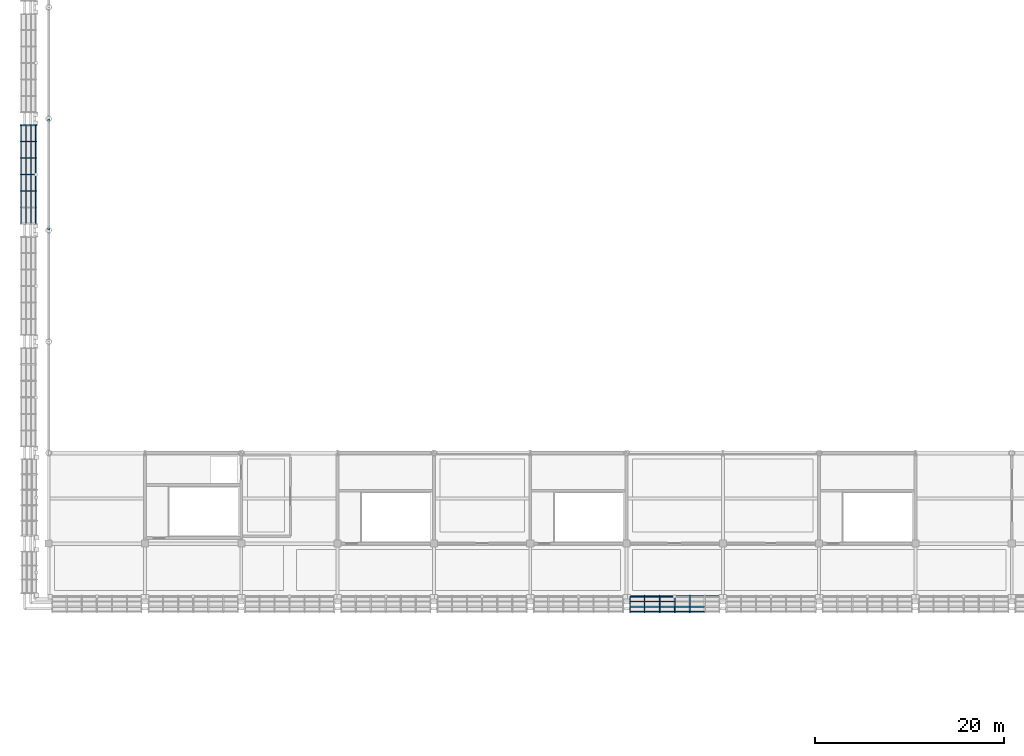
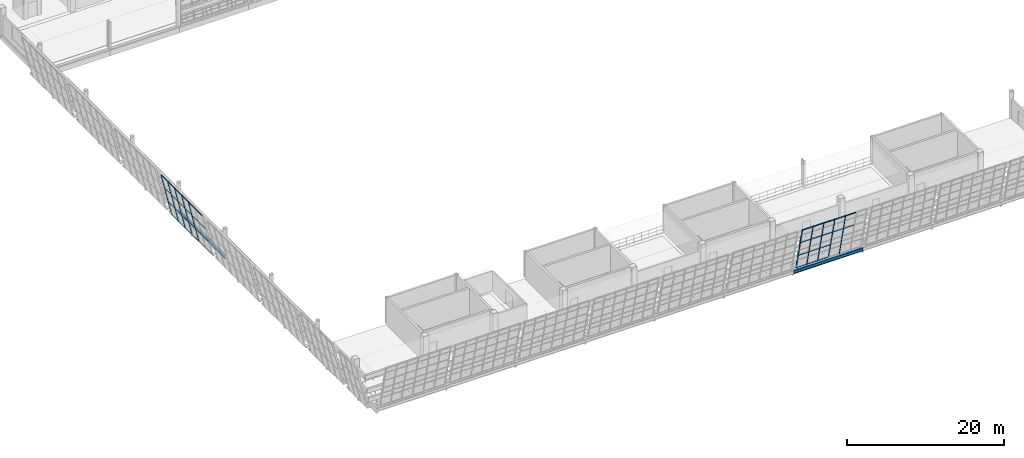
# One storey, part 27 of 157: 50 members, 2 beams, 2 elements without a shape of their own.
"""IFC4 building model written with IfcOpenShell, lengths in metres."""

from ifc_helpers import new_model, si_unit, direction, frame, origin, origin_2d, place, context, subcontext, project, spatial, hollow_rectangle, i_section, extrude, material, material_profile, profile_set, type_object, element, aggregate, save


model = new_model("IFC4")

# Units and contexts
model_context = context("Model", 3, precision=1e-05, world=origin(), true_north=direction((0.0, 1.0)))
body_context = subcontext(model_context, "Body", "Model", "MODEL_VIEW")
ifc_project = project(units=[si_unit("LENGTHUNIT", "METRE"), si_unit("AREAUNIT", "SQUARE_METRE"), si_unit("VOLUMEUNIT", "CUBIC_METRE"), si_unit("PLANEANGLEUNIT", "RADIAN"), si_unit("MASSUNIT", "GRAM", prefix="KILO")], contexts=[model_context])

# Site, building, storey
site_placement = place(None, origin())
site = spatial("IfcSite", under=ifc_project, at=site_placement, CompositionType="ELEMENT")
building_placement = place(site_placement, origin())
building = spatial("IfcBuilding", under=site, at=building_placement, Name="Brelvane Convention Centre", CompositionType="ELEMENT")
storey_placement = place(building_placement, frame((0.0, 0.0, 10.800048828125)))
storey = spatial("IfcBuildingStorey", under=building, at=storey_placement, Name="L02", CompositionType="ELEMENT", Elevation=10.800048828125)

# Curtain wall, members
ifc_material_1 = material(Name="Anodised Aluminium Alloy 6063-T6", Category="aluminium")
curtain_wall_type = type_object("IfcCurtainWallType", Name="Curtain Wall CW-HULL-S", PredefinedType="USERDEFINED", material=ifc_material_1)
curtain_wall_1_placement = place(storey_placement, origin())
curtain_wall_1 = element("IfcCurtainWall", 1, at=curtain_wall_1_placement, inside=storey, type_object=curtain_wall_type, Name="Curtain Wall CW-HULL-S L02-HULL-S-L02-07", ObjectType="UNITISED", PredefinedType="USERDEFINED")
ifc_material_2 = material(Name="Anodised Aluminium Alloy 6063-T6", Category="aluminium")
ifc_material_profile_1 = material_profile(ifc_material_2, hollow_rectangle(XDim=0.080078125, YDim=0.239990234375, WallThickness=0.006103515625, InnerFilletRadius=0.006103515625, OuterFilletRadius=0.011962890625, at=origin_2d()), Name="ALU-M 240x80x6.0")
ifc_profile_set_1 = profile_set([ifc_material_profile_1], Name="Anodised Aluminium Alloy 6063-T6")
member_type_1 = type_object("IfcMemberType", Name="Curtain Mullion CW-M1", PredefinedType="MULLION", material=ifc_profile_set_1)
member_1_placement = place(storey_placement, frame((61.56005859375, 13.60009765625, 0.0), z_axis=(0.0, -0.228360410362, 0.973576665178), x_axis=(1.0, 0.0, 0.0)))
member_1 = element("IfcMember", 2, at=member_1_placement, type_object=member_type_1, Name="CW-HULL-S mullion 1", PredefinedType="MULLION", context=body_context, shape_type="SweptSolid", body=[
    extrude(hollow_rectangle(XDim=0.080078125, YDim=0.239990234375, WallThickness=0.006103515625, InnerFilletRadius=0.006103515625, OuterFilletRadius=0.011962890625, at=origin_2d()), origin(), (0.0, 0.0, 1.0), 7.03564453125),
])
member_2_placement = place(storey_placement, frame((63.11328125, 13.60009765625, 0.0), z_axis=(0.0, -0.228360410362, 0.973576665178), x_axis=(1.0, 0.0, 0.0)))
member_2 = element("IfcMember", 3, at=member_2_placement, type_object=member_type_1, Name="CW-HULL-S mullion 2", PredefinedType="MULLION", context=body_context, shape_type="SweptSolid", body=[
    extrude(hollow_rectangle(XDim=0.080078125, YDim=0.239990234375, WallThickness=0.006103515625, InnerFilletRadius=0.006103515625, OuterFilletRadius=0.011962890625, at=origin_2d()), origin(), (0.0, 0.0, 1.0), 7.03564453125),
])
member_3_placement = place(storey_placement, frame((64.706787109375, 13.60009765625, 0.0), z_axis=(0.0, -0.228360410362, 0.973576665178), x_axis=(1.0, 0.0, 0.0)))
member_3 = element("IfcMember", 4, at=member_3_placement, type_object=member_type_1, Name="CW-HULL-S mullion 3", PredefinedType="MULLION", context=body_context, shape_type="SweptSolid", body=[
    extrude(hollow_rectangle(XDim=0.080078125, YDim=0.239990234375, WallThickness=0.006103515625, InnerFilletRadius=0.006103515625, OuterFilletRadius=0.011962890625, at=origin_2d()), origin(), (0.0, 0.0, 1.0), 7.03564453125),
])
member_4_placement = place(storey_placement, frame((66.300048828125, 13.60009765625, 0.0), z_axis=(0.0, -0.228360410362, 0.973576665178), x_axis=(1.0, 0.0, 0.0)))
member_4 = element("IfcMember", 5, at=member_4_placement, type_object=member_type_1, Name="CW-HULL-S mullion 4", PredefinedType="MULLION", context=body_context, shape_type="SweptSolid", body=[
    extrude(hollow_rectangle(XDim=0.080078125, YDim=0.239990234375, WallThickness=0.006103515625, InnerFilletRadius=0.006103515625, OuterFilletRadius=0.011962890625, at=origin_2d()), origin(), (0.0, 0.0, 1.0), 7.03564453125),
])
member_5_placement = place(storey_placement, frame((67.893310546875, 13.60009765625, 0.0), z_axis=(0.0, -0.228360410362, 0.973576665178), x_axis=(1.0, 0.0, 0.0)))
member_5 = element("IfcMember", 6, at=member_5_placement, type_object=member_type_1, Name="CW-HULL-S mullion 5", PredefinedType="MULLION", context=body_context, shape_type="SweptSolid", body=[
    extrude(hollow_rectangle(XDim=0.080078125, YDim=0.239990234375, WallThickness=0.006103515625, InnerFilletRadius=0.006103515625, OuterFilletRadius=0.011962890625, at=origin_2d()), origin(), (0.0, 0.0, 1.0), 7.03564453125),
])

curtain_wall_2_placement = place(storey_placement, origin())
curtain_wall_2 = element("IfcCurtainWall", 7, at=curtain_wall_2_placement, inside=storey, type_object=curtain_wall_type, Name="Curtain Wall CW-HULL-S L02-HULL-W-L02-3", ObjectType="UNITISED", PredefinedType="USERDEFINED")
ifc_material_3 = material(Name="Anodised Aluminium Alloy 6063-T6", Category="aluminium")
ifc_material_profile_2 = material_profile(ifc_material_3, hollow_rectangle(XDim=0.074951171875, YDim=0.199951171875, WallThickness=0.0048828125, InnerFilletRadius=0.0048828125, OuterFilletRadius=0.010009765625, at=origin_2d()), Name="ALU-M 200x75x5.0")
ifc_profile_set_2 = profile_set([ifc_material_profile_2], Name="Anodised Aluminium Alloy 6063-T6")
member_type_2 = type_object("IfcMemberType", Name="Curtain Mullion CW-M2", PredefinedType="MULLION", material=ifc_profile_set_2)
member_6_placement = place(storey_placement, frame((-1.360107421875, 56.550048828125, 0.0), z_axis=(-0.228324840492, 0.0, 0.973585007698), x_axis=(0.0, -1.0, 0.0)))
member_6 = element("IfcMember", 8, at=member_6_placement, type_object=member_type_2, Name="CW-HULL-S mullion 3", PredefinedType="MULLION", context=body_context, shape_type="SweptSolid", body=[
    extrude(hollow_rectangle(XDim=0.074951171875, YDim=0.199951171875, WallThickness=0.0048828125, InnerFilletRadius=0.0048828125, OuterFilletRadius=0.010009765625, at=origin_2d()), origin(), (0.0, 0.0, 1.0), 6.93310546875),
])
member_7_placement = place(storey_placement, frame((-1.360107421875, 58.300048828125, 0.0), z_axis=(-0.228324840492, 0.0, 0.973585007698), x_axis=(0.0, -1.0, 0.0)))
member_7 = element("IfcMember", 9, at=member_7_placement, type_object=member_type_2, Name="CW-HULL-S mullion 4", PredefinedType="MULLION", context=body_context, shape_type="SweptSolid", body=[
    extrude(hollow_rectangle(XDim=0.074951171875, YDim=0.199951171875, WallThickness=0.0048828125, InnerFilletRadius=0.0048828125, OuterFilletRadius=0.010009765625, at=origin_2d()), origin(), (0.0, 0.0, 1.0), 6.93310546875),
])
member_8_placement = place(storey_placement, frame((-1.360107421875, 60.050048828125, 0.0), z_axis=(-0.228324840492, 0.0, 0.973585007698), x_axis=(0.0, -1.0, 0.0)))
member_8 = element("IfcMember", 10, at=member_8_placement, type_object=member_type_2, Name="CW-HULL-S mullion 5", PredefinedType="MULLION", context=body_context, shape_type="SweptSolid", body=[
    extrude(hollow_rectangle(XDim=0.074951171875, YDim=0.199951171875, WallThickness=0.0048828125, InnerFilletRadius=0.0048828125, OuterFilletRadius=0.010009765625, at=origin_2d()), origin(), (0.0, 0.0, 1.0), 6.93310546875),
])
member_9_placement = place(storey_placement, frame((-1.360107421875, 61.800048828125, 0.0), z_axis=(-0.228324840492, 0.0, 0.973585007698), x_axis=(0.0, -1.0, 0.0)))
member_9 = element("IfcMember", 11, at=member_9_placement, type_object=member_type_2, Name="CW-HULL-S mullion 6", PredefinedType="MULLION", context=body_context, shape_type="SweptSolid", body=[
    extrude(hollow_rectangle(XDim=0.074951171875, YDim=0.199951171875, WallThickness=0.0048828125, InnerFilletRadius=0.0048828125, OuterFilletRadius=0.010009765625, at=origin_2d()), origin(), (0.0, 0.0, 1.0), 6.93310546875),
])
member_10_placement = place(storey_placement, frame((-1.360107421875, 63.512451171875, 0.0), z_axis=(-0.228324840492, 0.0, 0.973585007698), x_axis=(0.0, -1.0, 0.0)))
member_10 = element("IfcMember", 12, at=member_10_placement, type_object=member_type_2, Name="CW-HULL-S mullion 7", PredefinedType="MULLION", context=body_context, shape_type="SweptSolid", body=[
    extrude(hollow_rectangle(XDim=0.074951171875, YDim=0.199951171875, WallThickness=0.0048828125, InnerFilletRadius=0.0048828125, OuterFilletRadius=0.010009765625, at=origin_2d()), origin(), (0.0, 0.0, 1.0), 6.93310546875),
])

# Member
ifc_material_4 = material(Name="Anodised Aluminium Alloy 6063-T6", Category="aluminium")
ifc_material_profile_3 = material_profile(ifc_material_4, hollow_rectangle(XDim=0.080078125, YDim=0.179931640625, WallThickness=0.0048828125, InnerFilletRadius=0.0048828125, OuterFilletRadius=0.010009765625, at=origin_2d()), Name="ALU-T 180x80x5.0")
ifc_profile_set_3 = profile_set([ifc_material_profile_3], Name="Anodised Aluminium Alloy 6063-T6")
member_type_3 = type_object("IfcMemberType", Name="Curtain Transom CW-T1", PredefinedType="USERDEFINED", material=ifc_profile_set_3)
member_11_placement = place(storey_placement, frame((61.60009765625, 13.590576171875, 0.0400390625), z_axis=(1.0, 0.0, 0.0), x_axis=(0.0, 1.0, 0.0)))
member_11 = element("IfcMember", 13, at=member_11_placement, type_object=member_type_3, Name="CW-HULL-S transom 1.1", ObjectType="TRANSOM", PredefinedType="USERDEFINED", context=body_context, shape_type="SweptSolid", body=[
    extrude(hollow_rectangle(XDim=0.080078125, YDim=0.179931640625, WallThickness=0.0048828125, InnerFilletRadius=0.0048828125, OuterFilletRadius=0.010009765625, at=origin_2d()), origin(), (0.0, 0.0, 1.0), 1.47314453125),
])

member_12_placement = place(storey_placement, frame((61.60009765625, 13.064453125, 2.283203125), z_axis=(1.0, 0.0, 0.0), x_axis=(0.0, 1.0, 0.0)))
member_12 = element("IfcMember", 14, at=member_12_placement, type_object=member_type_3, Name="CW-HULL-S transom 1.2", ObjectType="TRANSOM", PredefinedType="USERDEFINED", context=body_context, shape_type="SweptSolid", body=[
    extrude(hollow_rectangle(XDim=0.080078125, YDim=0.179931640625, WallThickness=0.0048828125, InnerFilletRadius=0.0048828125, OuterFilletRadius=0.010009765625, at=origin_2d()), origin(), (0.0, 0.0, 1.0), 1.47314453125),
])

member_13_placement = place(storey_placement, frame((61.60009765625, 12.52880859375, 4.566650390625), z_axis=(1.0, 0.0, 0.0), x_axis=(0.0, 1.0, 0.0)))
member_13 = element("IfcMember", 15, at=member_13_placement, type_object=member_type_3, Name="CW-HULL-S transom 1.3", ObjectType="TRANSOM", PredefinedType="USERDEFINED", context=body_context, shape_type="SweptSolid", body=[
    extrude(hollow_rectangle(XDim=0.080078125, YDim=0.179931640625, WallThickness=0.0048828125, InnerFilletRadius=0.0048828125, OuterFilletRadius=0.010009765625, at=origin_2d()), origin(), (0.0, 0.0, 1.0), 1.47314453125),
])

member_14_placement = place(storey_placement, frame((61.60009765625, 12.002685546875, 6.81005859375), z_axis=(1.0, 0.0, 0.0), x_axis=(0.0, 1.0, 0.0)))
member_14 = element("IfcMember", 16, at=member_14_placement, type_object=member_type_3, Name="CW-HULL-S transom 1.4", ObjectType="TRANSOM", PredefinedType="USERDEFINED", context=body_context, shape_type="SweptSolid", body=[
    extrude(hollow_rectangle(XDim=0.080078125, YDim=0.179931640625, WallThickness=0.0048828125, InnerFilletRadius=0.0048828125, OuterFilletRadius=0.010009765625, at=origin_2d()), origin(), (0.0, 0.0, 1.0), 1.47314453125),
])

member_15_placement = place(storey_placement, frame((63.1533203125, 13.590576171875, 0.0400390625), z_axis=(1.0, 0.0, 0.0), x_axis=(0.0, 1.0, 0.0)))
member_15 = element("IfcMember", 17, at=member_15_placement, type_object=member_type_3, Name="CW-HULL-S transom 2.1", ObjectType="TRANSOM", PredefinedType="USERDEFINED", context=body_context, shape_type="SweptSolid", body=[
    extrude(hollow_rectangle(XDim=0.080078125, YDim=0.179931640625, WallThickness=0.0048828125, InnerFilletRadius=0.0048828125, OuterFilletRadius=0.010009765625, at=origin_2d()), origin(), (0.0, 0.0, 1.0), 1.513427734375),
])

member_16_placement = place(storey_placement, frame((63.1533203125, 13.064453125, 2.283203125), z_axis=(1.0, 0.0, 0.0), x_axis=(0.0, 1.0, 0.0)))
member_16 = element("IfcMember", 18, at=member_16_placement, type_object=member_type_3, Name="CW-HULL-S transom 2.2", ObjectType="TRANSOM", PredefinedType="USERDEFINED", context=body_context, shape_type="SweptSolid", body=[
    extrude(hollow_rectangle(XDim=0.080078125, YDim=0.179931640625, WallThickness=0.0048828125, InnerFilletRadius=0.0048828125, OuterFilletRadius=0.010009765625, at=origin_2d()), origin(), (0.0, 0.0, 1.0), 1.513427734375),
])

member_17_placement = place(storey_placement, frame((63.1533203125, 12.52880859375, 4.566650390625), z_axis=(1.0, 0.0, 0.0), x_axis=(0.0, 1.0, 0.0)))
member_17 = element("IfcMember", 19, at=member_17_placement, type_object=member_type_3, Name="CW-HULL-S transom 2.3", ObjectType="TRANSOM", PredefinedType="USERDEFINED", context=body_context, shape_type="SweptSolid", body=[
    extrude(hollow_rectangle(XDim=0.080078125, YDim=0.179931640625, WallThickness=0.0048828125, InnerFilletRadius=0.0048828125, OuterFilletRadius=0.010009765625, at=origin_2d()), origin(), (0.0, 0.0, 1.0), 1.513427734375),
])

member_18_placement = place(storey_placement, frame((63.1533203125, 12.002685546875, 6.81005859375), z_axis=(1.0, 0.0, 0.0), x_axis=(0.0, 1.0, 0.0)))
member_18 = element("IfcMember", 20, at=member_18_placement, type_object=member_type_3, Name="CW-HULL-S transom 2.4", ObjectType="TRANSOM", PredefinedType="USERDEFINED", context=body_context, shape_type="SweptSolid", body=[
    extrude(hollow_rectangle(XDim=0.080078125, YDim=0.179931640625, WallThickness=0.0048828125, InnerFilletRadius=0.0048828125, OuterFilletRadius=0.010009765625, at=origin_2d()), origin(), (0.0, 0.0, 1.0), 1.513427734375),
])

member_19_placement = place(storey_placement, frame((64.74658203125, 13.590576171875, 0.0400390625), z_axis=(1.0, 0.0, 0.0), x_axis=(0.0, 1.0, 0.0)))
member_19 = element("IfcMember", 21, at=member_19_placement, type_object=member_type_3, Name="CW-HULL-S transom 3.1", ObjectType="TRANSOM", PredefinedType="USERDEFINED", context=body_context, shape_type="SweptSolid", body=[
    extrude(hollow_rectangle(XDim=0.080078125, YDim=0.179931640625, WallThickness=0.0048828125, InnerFilletRadius=0.0048828125, OuterFilletRadius=0.010009765625, at=origin_2d()), origin(), (0.0, 0.0, 1.0), 1.513427734375),
])

member_20_placement = place(storey_placement, frame((64.74658203125, 13.064453125, 2.283203125), z_axis=(1.0, 0.0, 0.0), x_axis=(0.0, 1.0, 0.0)))
member_20 = element("IfcMember", 22, at=member_20_placement, type_object=member_type_3, Name="CW-HULL-S transom 3.2", ObjectType="TRANSOM", PredefinedType="USERDEFINED", context=body_context, shape_type="SweptSolid", body=[
    extrude(hollow_rectangle(XDim=0.080078125, YDim=0.179931640625, WallThickness=0.0048828125, InnerFilletRadius=0.0048828125, OuterFilletRadius=0.010009765625, at=origin_2d()), origin(), (0.0, 0.0, 1.0), 1.513427734375),
])

member_21_placement = place(storey_placement, frame((64.74658203125, 12.52880859375, 4.566650390625), z_axis=(1.0, 0.0, 0.0), x_axis=(0.0, 1.0, 0.0)))
member_21 = element("IfcMember", 23, at=member_21_placement, type_object=member_type_3, Name="CW-HULL-S transom 3.3", ObjectType="TRANSOM", PredefinedType="USERDEFINED", context=body_context, shape_type="SweptSolid", body=[
    extrude(hollow_rectangle(XDim=0.080078125, YDim=0.179931640625, WallThickness=0.0048828125, InnerFilletRadius=0.0048828125, OuterFilletRadius=0.010009765625, at=origin_2d()), origin(), (0.0, 0.0, 1.0), 1.513427734375),
])

member_22_placement = place(storey_placement, frame((64.74658203125, 12.002685546875, 6.81005859375), z_axis=(1.0, 0.0, 0.0), x_axis=(0.0, 1.0, 0.0)))
member_22 = element("IfcMember", 24, at=member_22_placement, type_object=member_type_3, Name="CW-HULL-S transom 3.4", ObjectType="TRANSOM", PredefinedType="USERDEFINED", context=body_context, shape_type="SweptSolid", body=[
    extrude(hollow_rectangle(XDim=0.080078125, YDim=0.179931640625, WallThickness=0.0048828125, InnerFilletRadius=0.0048828125, OuterFilletRadius=0.010009765625, at=origin_2d()), origin(), (0.0, 0.0, 1.0), 1.513427734375),
])

member_23_placement = place(storey_placement, frame((66.340087890625, 12.52880859375, 4.566650390625), z_axis=(1.0, 0.0, 0.0), x_axis=(0.0, 1.0, 0.0)))
member_23 = element("IfcMember", 25, at=member_23_placement, type_object=member_type_3, Name="CW-HULL-S transom 4.3", ObjectType="TRANSOM", PredefinedType="USERDEFINED", context=body_context, shape_type="SweptSolid", body=[
    extrude(hollow_rectangle(XDim=0.080078125, YDim=0.179931640625, WallThickness=0.0048828125, InnerFilletRadius=0.0048828125, OuterFilletRadius=0.010009765625, at=origin_2d()), origin(), (0.0, 0.0, 1.0), 1.51318359375),
])

member_24_placement = place(storey_placement, frame((66.340087890625, 12.002685546875, 6.81005859375), z_axis=(1.0, 0.0, 0.0), x_axis=(0.0, 1.0, 0.0)))
member_24 = element("IfcMember", 26, at=member_24_placement, type_object=member_type_3, Name="CW-HULL-S transom 4.4", ObjectType="TRANSOM", PredefinedType="USERDEFINED", context=body_context, shape_type="SweptSolid", body=[
    extrude(hollow_rectangle(XDim=0.080078125, YDim=0.179931640625, WallThickness=0.0048828125, InnerFilletRadius=0.0048828125, OuterFilletRadius=0.010009765625, at=origin_2d()), origin(), (0.0, 0.0, 1.0), 1.51318359375),
])

member_25_placement = place(storey_placement, frame((67.933349609375, 12.52880859375, 4.566650390625), z_axis=(1.0, 0.0, 0.0), x_axis=(0.0, 1.0, 0.0)))
member_25 = element("IfcMember", 27, at=member_25_placement, type_object=member_type_3, Name="CW-HULL-S transom 5.3", ObjectType="TRANSOM", PredefinedType="USERDEFINED", context=body_context, shape_type="SweptSolid", body=[
    extrude(hollow_rectangle(XDim=0.080078125, YDim=0.179931640625, WallThickness=0.0048828125, InnerFilletRadius=0.0048828125, OuterFilletRadius=0.010009765625, at=origin_2d()), origin(), (0.0, 0.0, 1.0), 1.513427734375),
])

member_26_placement = place(storey_placement, frame((67.933349609375, 12.002685546875, 6.81005859375), z_axis=(1.0, 0.0, 0.0), x_axis=(0.0, 1.0, 0.0)))
member_26 = element("IfcMember", 28, at=member_26_placement, type_object=member_type_3, Name="CW-HULL-S transom 5.4", ObjectType="TRANSOM", PredefinedType="USERDEFINED", context=body_context, shape_type="SweptSolid", body=[
    extrude(hollow_rectangle(XDim=0.080078125, YDim=0.179931640625, WallThickness=0.0048828125, InnerFilletRadius=0.0048828125, OuterFilletRadius=0.010009765625, at=origin_2d()), origin(), (0.0, 0.0, 1.0), 1.513427734375),
])

aggregate(curtain_wall_1, [member_1, member_2, member_3, member_4, member_5, member_11, member_12, member_13, member_14, member_15, member_16, member_17, member_18, member_19, member_20, member_21, member_22, member_23, member_24, member_25, member_26])

ifc_material_5 = material(Name="Anodised Aluminium Alloy 6063-T6", Category="aluminium")
ifc_material_profile_4 = material_profile(ifc_material_5, hollow_rectangle(XDim=0.070068359375, YDim=0.14990234375, WallThickness=0.00439453125, InnerFilletRadius=0.00439453125, OuterFilletRadius=0.009033203125, at=origin_2d()), Name="ALU-T 150x70x4.5")
ifc_profile_set_4 = profile_set([ifc_material_profile_4], Name="Anodised Aluminium Alloy 6063-T6")
member_type_4 = type_object("IfcMemberType", Name="Curtain Transom CW-T2", PredefinedType="USERDEFINED", material=ifc_profile_set_4)
member_27_placement = place(storey_placement, frame((-1.3681640625, 53.125, 0.034912109375), z_axis=(0.0, 1.0, 0.0), x_axis=(-1.0, 0.0, 0.0)))
member_27 = element("IfcMember", 29, at=member_27_placement, type_object=member_type_4, Name="CW-HULL-S transom 1.1", ObjectType="TRANSOM", PredefinedType="USERDEFINED", context=body_context, shape_type="SweptSolid", body=[
    extrude(hollow_rectangle(XDim=0.070068359375, YDim=0.14990234375, WallThickness=0.00439453125, InnerFilletRadius=0.00439453125, OuterFilletRadius=0.009033203125, at=origin_2d()), origin(), (0.0, 0.0, 1.0), 1.637451171875),
])

member_28_placement = place(storey_placement, frame((-1.8876953125, 53.125, 2.25), z_axis=(0.0, 1.0, 0.0), x_axis=(-1.0, 0.0, 0.0)))
member_28 = element("IfcMember", 30, at=member_28_placement, type_object=member_type_4, Name="CW-HULL-S transom 1.2", ObjectType="TRANSOM", PredefinedType="USERDEFINED", context=body_context, shape_type="SweptSolid", body=[
    extrude(hollow_rectangle(XDim=0.070068359375, YDim=0.14990234375, WallThickness=0.00439453125, InnerFilletRadius=0.00439453125, OuterFilletRadius=0.009033203125, at=origin_2d()), origin(), (0.0, 0.0, 1.0), 1.637451171875),
])

member_29_placement = place(storey_placement, frame((-2.41552734375, 53.125, 4.5), z_axis=(0.0, 1.0, 0.0), x_axis=(-1.0, 0.0, 0.0)))
member_29 = element("IfcMember", 31, at=member_29_placement, type_object=member_type_4, Name="CW-HULL-S transom 1.3", ObjectType="TRANSOM", PredefinedType="USERDEFINED", context=body_context, shape_type="SweptSolid", body=[
    extrude(hollow_rectangle(XDim=0.070068359375, YDim=0.14990234375, WallThickness=0.00439453125, InnerFilletRadius=0.00439453125, OuterFilletRadius=0.009033203125, at=origin_2d()), origin(), (0.0, 0.0, 1.0), 1.637451171875),
])

member_30_placement = place(storey_placement, frame((-2.93505859375, 53.125, 6.71484375), z_axis=(0.0, 1.0, 0.0), x_axis=(-1.0, 0.0, 0.0)))
member_30 = element("IfcMember", 32, at=member_30_placement, type_object=member_type_4, Name="CW-HULL-S transom 1.4", ObjectType="TRANSOM", PredefinedType="USERDEFINED", context=body_context, shape_type="SweptSolid", body=[
    extrude(hollow_rectangle(XDim=0.070068359375, YDim=0.14990234375, WallThickness=0.00439453125, InnerFilletRadius=0.00439453125, OuterFilletRadius=0.009033203125, at=origin_2d()), origin(), (0.0, 0.0, 1.0), 1.637451171875),
])

member_31_placement = place(storey_placement, frame((-1.3681640625, 54.83740234375, 0.034912109375), z_axis=(0.0, 1.0, 0.0), x_axis=(-1.0, 0.0, 0.0)))
member_31 = element("IfcMember", 33, at=member_31_placement, type_object=member_type_4, Name="CW-HULL-S transom 2.1", ObjectType="TRANSOM", PredefinedType="USERDEFINED", context=body_context, shape_type="SweptSolid", body=[
    extrude(hollow_rectangle(XDim=0.070068359375, YDim=0.14990234375, WallThickness=0.00439453125, InnerFilletRadius=0.00439453125, OuterFilletRadius=0.009033203125, at=origin_2d()), origin(), (0.0, 0.0, 1.0), 1.675048828125),
])

member_32_placement = place(storey_placement, frame((-1.8876953125, 54.83740234375, 2.25), z_axis=(0.0, 1.0, 0.0), x_axis=(-1.0, 0.0, 0.0)))
member_32 = element("IfcMember", 34, at=member_32_placement, type_object=member_type_4, Name="CW-HULL-S transom 2.2", ObjectType="TRANSOM", PredefinedType="USERDEFINED", context=body_context, shape_type="SweptSolid", body=[
    extrude(hollow_rectangle(XDim=0.070068359375, YDim=0.14990234375, WallThickness=0.00439453125, InnerFilletRadius=0.00439453125, OuterFilletRadius=0.009033203125, at=origin_2d()), origin(), (0.0, 0.0, 1.0), 1.675048828125),
])

member_33_placement = place(storey_placement, frame((-2.41552734375, 54.83740234375, 4.5), z_axis=(0.0, 1.0, 0.0), x_axis=(-1.0, 0.0, 0.0)))
member_33 = element("IfcMember", 35, at=member_33_placement, type_object=member_type_4, Name="CW-HULL-S transom 2.3", ObjectType="TRANSOM", PredefinedType="USERDEFINED", context=body_context, shape_type="SweptSolid", body=[
    extrude(hollow_rectangle(XDim=0.070068359375, YDim=0.14990234375, WallThickness=0.00439453125, InnerFilletRadius=0.00439453125, OuterFilletRadius=0.009033203125, at=origin_2d()), origin(), (0.0, 0.0, 1.0), 1.675048828125),
])

member_34_placement = place(storey_placement, frame((-2.93505859375, 54.83740234375, 6.71484375), z_axis=(0.0, 1.0, 0.0), x_axis=(-1.0, 0.0, 0.0)))
member_34 = element("IfcMember", 36, at=member_34_placement, type_object=member_type_4, Name="CW-HULL-S transom 2.4", ObjectType="TRANSOM", PredefinedType="USERDEFINED", context=body_context, shape_type="SweptSolid", body=[
    extrude(hollow_rectangle(XDim=0.070068359375, YDim=0.14990234375, WallThickness=0.00439453125, InnerFilletRadius=0.00439453125, OuterFilletRadius=0.009033203125, at=origin_2d()), origin(), (0.0, 0.0, 1.0), 1.675048828125),
])

member_35_placement = place(storey_placement, frame((-1.3681640625, 56.58740234375, 0.034912109375), z_axis=(0.0, 1.0, 0.0), x_axis=(-1.0, 0.0, 0.0)))
member_35 = element("IfcMember", 37, at=member_35_placement, type_object=member_type_4, Name="CW-HULL-S transom 3.1", ObjectType="TRANSOM", PredefinedType="USERDEFINED", context=body_context, shape_type="SweptSolid", body=[
    extrude(hollow_rectangle(XDim=0.070068359375, YDim=0.14990234375, WallThickness=0.00439453125, InnerFilletRadius=0.00439453125, OuterFilletRadius=0.009033203125, at=origin_2d()), origin(), (0.0, 0.0, 1.0), 1.675048828125),
])

member_36_placement = place(storey_placement, frame((-1.8876953125, 56.58740234375, 2.25), z_axis=(0.0, 1.0, 0.0), x_axis=(-1.0, 0.0, 0.0)))
member_36 = element("IfcMember", 38, at=member_36_placement, type_object=member_type_4, Name="CW-HULL-S transom 3.2", ObjectType="TRANSOM", PredefinedType="USERDEFINED", context=body_context, shape_type="SweptSolid", body=[
    extrude(hollow_rectangle(XDim=0.070068359375, YDim=0.14990234375, WallThickness=0.00439453125, InnerFilletRadius=0.00439453125, OuterFilletRadius=0.009033203125, at=origin_2d()), origin(), (0.0, 0.0, 1.0), 1.675048828125),
])

member_37_placement = place(storey_placement, frame((-2.41552734375, 56.58740234375, 4.5), z_axis=(0.0, 1.0, 0.0), x_axis=(-1.0, 0.0, 0.0)))
member_37 = element("IfcMember", 39, at=member_37_placement, type_object=member_type_4, Name="CW-HULL-S transom 3.3", ObjectType="TRANSOM", PredefinedType="USERDEFINED", context=body_context, shape_type="SweptSolid", body=[
    extrude(hollow_rectangle(XDim=0.070068359375, YDim=0.14990234375, WallThickness=0.00439453125, InnerFilletRadius=0.00439453125, OuterFilletRadius=0.009033203125, at=origin_2d()), origin(), (0.0, 0.0, 1.0), 1.675048828125),
])

member_38_placement = place(storey_placement, frame((-2.93505859375, 56.58740234375, 6.71484375), z_axis=(0.0, 1.0, 0.0), x_axis=(-1.0, 0.0, 0.0)))
member_38 = element("IfcMember", 40, at=member_38_placement, type_object=member_type_4, Name="CW-HULL-S transom 3.4", ObjectType="TRANSOM", PredefinedType="USERDEFINED", context=body_context, shape_type="SweptSolid", body=[
    extrude(hollow_rectangle(XDim=0.070068359375, YDim=0.14990234375, WallThickness=0.00439453125, InnerFilletRadius=0.00439453125, OuterFilletRadius=0.009033203125, at=origin_2d()), origin(), (0.0, 0.0, 1.0), 1.675048828125),
])

member_39_placement = place(storey_placement, frame((-1.3681640625, 58.33740234375, 0.034912109375), z_axis=(0.0, 1.0, 0.0), x_axis=(-1.0, 0.0, 0.0)))
member_39 = element("IfcMember", 41, at=member_39_placement, type_object=member_type_4, Name="CW-HULL-S transom 4.1", ObjectType="TRANSOM", PredefinedType="USERDEFINED", context=body_context, shape_type="SweptSolid", body=[
    extrude(hollow_rectangle(XDim=0.070068359375, YDim=0.14990234375, WallThickness=0.00439453125, InnerFilletRadius=0.00439453125, OuterFilletRadius=0.009033203125, at=origin_2d()), origin(), (0.0, 0.0, 1.0), 1.675048828125),
])

member_40_placement = place(storey_placement, frame((-1.8876953125, 58.33740234375, 2.25), z_axis=(0.0, 1.0, 0.0), x_axis=(-1.0, 0.0, 0.0)))
member_40 = element("IfcMember", 42, at=member_40_placement, type_object=member_type_4, Name="CW-HULL-S transom 4.2", ObjectType="TRANSOM", PredefinedType="USERDEFINED", context=body_context, shape_type="SweptSolid", body=[
    extrude(hollow_rectangle(XDim=0.070068359375, YDim=0.14990234375, WallThickness=0.00439453125, InnerFilletRadius=0.00439453125, OuterFilletRadius=0.009033203125, at=origin_2d()), origin(), (0.0, 0.0, 1.0), 1.675048828125),
])

member_41_placement = place(storey_placement, frame((-2.41552734375, 58.33740234375, 4.5), z_axis=(0.0, 1.0, 0.0), x_axis=(-1.0, 0.0, 0.0)))
member_41 = element("IfcMember", 43, at=member_41_placement, type_object=member_type_4, Name="CW-HULL-S transom 4.3", ObjectType="TRANSOM", PredefinedType="USERDEFINED", context=body_context, shape_type="SweptSolid", body=[
    extrude(hollow_rectangle(XDim=0.070068359375, YDim=0.14990234375, WallThickness=0.00439453125, InnerFilletRadius=0.00439453125, OuterFilletRadius=0.009033203125, at=origin_2d()), origin(), (0.0, 0.0, 1.0), 1.675048828125),
])

member_42_placement = place(storey_placement, frame((-2.93505859375, 58.33740234375, 6.71484375), z_axis=(0.0, 1.0, 0.0), x_axis=(-1.0, 0.0, 0.0)))
member_42 = element("IfcMember", 44, at=member_42_placement, type_object=member_type_4, Name="CW-HULL-S transom 4.4", ObjectType="TRANSOM", PredefinedType="USERDEFINED", context=body_context, shape_type="SweptSolid", body=[
    extrude(hollow_rectangle(XDim=0.070068359375, YDim=0.14990234375, WallThickness=0.00439453125, InnerFilletRadius=0.00439453125, OuterFilletRadius=0.009033203125, at=origin_2d()), origin(), (0.0, 0.0, 1.0), 1.675048828125),
])

member_43_placement = place(storey_placement, frame((-1.3681640625, 60.08740234375, 0.034912109375), z_axis=(0.0, 1.0, 0.0), x_axis=(-1.0, 0.0, 0.0)))
member_43 = element("IfcMember", 45, at=member_43_placement, type_object=member_type_4, Name="CW-HULL-S transom 5.1", ObjectType="TRANSOM", PredefinedType="USERDEFINED", context=body_context, shape_type="SweptSolid", body=[
    extrude(hollow_rectangle(XDim=0.070068359375, YDim=0.14990234375, WallThickness=0.00439453125, InnerFilletRadius=0.00439453125, OuterFilletRadius=0.009033203125, at=origin_2d()), origin(), (0.0, 0.0, 1.0), 1.675048828125),
])

member_44_placement = place(storey_placement, frame((-1.8876953125, 60.08740234375, 2.25), z_axis=(0.0, 1.0, 0.0), x_axis=(-1.0, 0.0, 0.0)))
member_44 = element("IfcMember", 46, at=member_44_placement, type_object=member_type_4, Name="CW-HULL-S transom 5.2", ObjectType="TRANSOM", PredefinedType="USERDEFINED", context=body_context, shape_type="SweptSolid", body=[
    extrude(hollow_rectangle(XDim=0.070068359375, YDim=0.14990234375, WallThickness=0.00439453125, InnerFilletRadius=0.00439453125, OuterFilletRadius=0.009033203125, at=origin_2d()), origin(), (0.0, 0.0, 1.0), 1.675048828125),
])

member_45_placement = place(storey_placement, frame((-2.41552734375, 60.08740234375, 4.5), z_axis=(0.0, 1.0, 0.0), x_axis=(-1.0, 0.0, 0.0)))
member_45 = element("IfcMember", 47, at=member_45_placement, type_object=member_type_4, Name="CW-HULL-S transom 5.3", ObjectType="TRANSOM", PredefinedType="USERDEFINED", context=body_context, shape_type="SweptSolid", body=[
    extrude(hollow_rectangle(XDim=0.070068359375, YDim=0.14990234375, WallThickness=0.00439453125, InnerFilletRadius=0.00439453125, OuterFilletRadius=0.009033203125, at=origin_2d()), origin(), (0.0, 0.0, 1.0), 1.675048828125),
])

member_46_placement = place(storey_placement, frame((-2.93505859375, 60.08740234375, 6.71484375), z_axis=(0.0, 1.0, 0.0), x_axis=(-1.0, 0.0, 0.0)))
member_46 = element("IfcMember", 48, at=member_46_placement, type_object=member_type_4, Name="CW-HULL-S transom 5.4", ObjectType="TRANSOM", PredefinedType="USERDEFINED", context=body_context, shape_type="SweptSolid", body=[
    extrude(hollow_rectangle(XDim=0.070068359375, YDim=0.14990234375, WallThickness=0.00439453125, InnerFilletRadius=0.00439453125, OuterFilletRadius=0.009033203125, at=origin_2d()), origin(), (0.0, 0.0, 1.0), 1.675048828125),
])

member_47_placement = place(storey_placement, frame((-1.3681640625, 61.83740234375, 0.034912109375), z_axis=(0.0, 1.0, 0.0), x_axis=(-1.0, 0.0, 0.0)))
member_47 = element("IfcMember", 49, at=member_47_placement, type_object=member_type_4, Name="CW-HULL-S transom 6.1", ObjectType="TRANSOM", PredefinedType="USERDEFINED", context=body_context, shape_type="SweptSolid", body=[
    extrude(hollow_rectangle(XDim=0.070068359375, YDim=0.14990234375, WallThickness=0.00439453125, InnerFilletRadius=0.00439453125, OuterFilletRadius=0.009033203125, at=origin_2d()), origin(), (0.0, 0.0, 1.0), 1.6376953125),
])

member_48_placement = place(storey_placement, frame((-1.8876953125, 61.83740234375, 2.25), z_axis=(0.0, 1.0, 0.0), x_axis=(-1.0, 0.0, 0.0)))
member_48 = element("IfcMember", 50, at=member_48_placement, type_object=member_type_4, Name="CW-HULL-S transom 6.2", ObjectType="TRANSOM", PredefinedType="USERDEFINED", context=body_context, shape_type="SweptSolid", body=[
    extrude(hollow_rectangle(XDim=0.070068359375, YDim=0.14990234375, WallThickness=0.00439453125, InnerFilletRadius=0.00439453125, OuterFilletRadius=0.009033203125, at=origin_2d()), origin(), (0.0, 0.0, 1.0), 1.6376953125),
])

member_49_placement = place(storey_placement, frame((-2.41552734375, 61.83740234375, 4.5), z_axis=(0.0, 1.0, 0.0), x_axis=(-1.0, 0.0, 0.0)))
member_49 = element("IfcMember", 51, at=member_49_placement, type_object=member_type_4, Name="CW-HULL-S transom 6.3", ObjectType="TRANSOM", PredefinedType="USERDEFINED", context=body_context, shape_type="SweptSolid", body=[
    extrude(hollow_rectangle(XDim=0.070068359375, YDim=0.14990234375, WallThickness=0.00439453125, InnerFilletRadius=0.00439453125, OuterFilletRadius=0.009033203125, at=origin_2d()), origin(), (0.0, 0.0, 1.0), 1.6376953125),
])

member_50_placement = place(storey_placement, frame((-2.93505859375, 61.83740234375, 6.71484375), z_axis=(0.0, 1.0, 0.0), x_axis=(-1.0, 0.0, 0.0)))
member_50 = element("IfcMember", 52, at=member_50_placement, type_object=member_type_4, Name="CW-HULL-S transom 6.4", ObjectType="TRANSOM", PredefinedType="USERDEFINED", context=body_context, shape_type="SweptSolid", body=[
    extrude(hollow_rectangle(XDim=0.070068359375, YDim=0.14990234375, WallThickness=0.00439453125, InnerFilletRadius=0.00439453125, OuterFilletRadius=0.009033203125, at=origin_2d()), origin(), (0.0, 0.0, 1.0), 1.6376953125),
])

aggregate(curtain_wall_2, [member_6, member_7, member_8, member_9, member_10, member_27, member_28, member_29, member_30, member_31, member_32, member_33, member_34, member_35, member_36, member_37, member_38, member_39, member_40, member_41, member_42, member_43, member_44, member_45, member_46, member_47, member_48, member_49, member_50])

# Beams
ifc_material_6 = material(Name="Steel E350 (350 MPa)", Category="steel")
ifc_material_profile_5 = material_profile(ifc_material_6, i_section(OverallWidth=0.25, OverallDepth=0.5, WebThickness=0.010009765625, FlangeThickness=0.0146484375, FilletRadius=0.01611328125, at=origin_2d()), Name="ISWB 500")
ifc_profile_set_5 = profile_set([ifc_material_profile_5], Name="Steel E350 (350 MPa)")
beam_type = type_object("IfcBeamType", Name="Steel Spandrel SP-ST1 (ISWB 500)", PredefinedType="SPANDREL", material=ifc_profile_set_5)
beam_1_placement = place(storey_placement, frame((61.199951171875, 13.60009765625, -0.530029296875), z_axis=(1.0, 0.0, 0.0), x_axis=(0.0, 1.0, 0.0)))
element("IfcBeam", 53, at=beam_1_placement, inside=storey, type_object=beam_type, Name="L02 Hull Overhang Edge Spandrel 7", PredefinedType="SPANDREL", context=body_context, shape_type="SweptSolid", body=[
    extrude(i_section(OverallWidth=0.25, OverallDepth=0.5, WebThickness=0.010009765625, FlangeThickness=0.0146484375, FilletRadius=0.01611328125, at=origin_2d()), origin(), (0.0, 0.0, 1.0), 10.199951171875),
])
beam_2_placement = place(storey_placement, frame((0.0, 52.39990234375, -0.25), z_axis=(0.0, 1.0, 0.0), x_axis=(-1.0, 0.0, 0.0)))
element("IfcBeam", 54, at=beam_2_placement, inside=storey, type_object=beam_type, Name="West Hull Wall Girt L02-3", PredefinedType="SPANDREL", context=body_context, shape_type="SweptSolid", body=[
    extrude(i_section(OverallWidth=0.25, OverallDepth=0.5, WebThickness=0.010009765625, FlangeThickness=0.0146484375, FilletRadius=0.01611328125, at=origin_2d()), origin(), (0.0, 0.0, 1.0), 11.800048828125),
])

save(model, "model.ifc")
